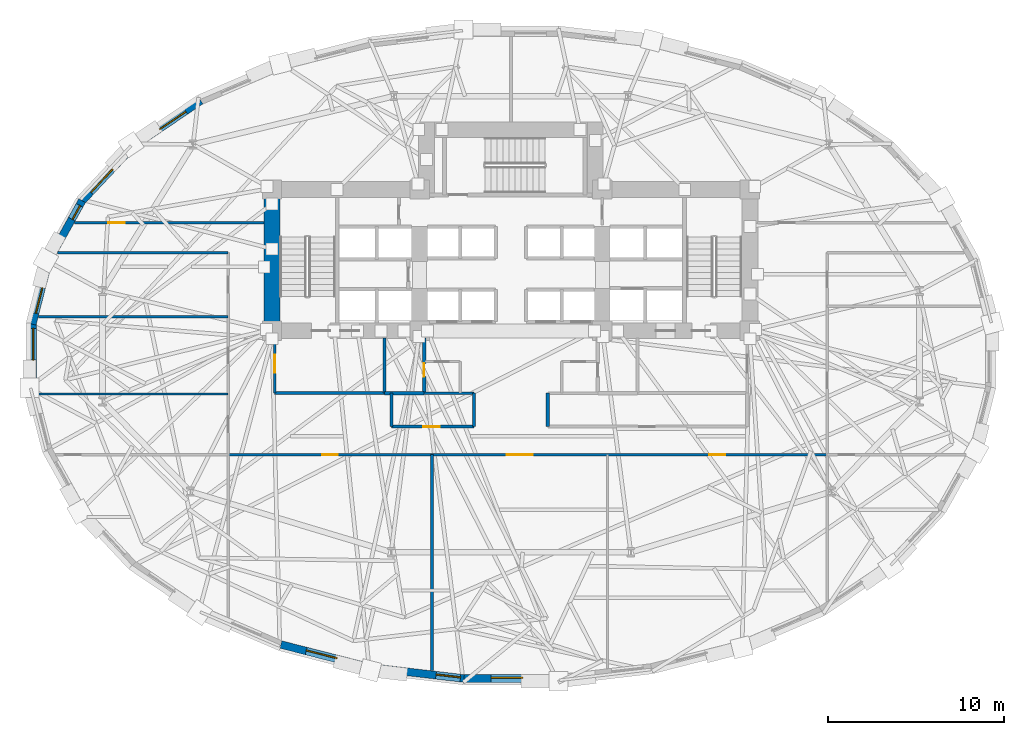
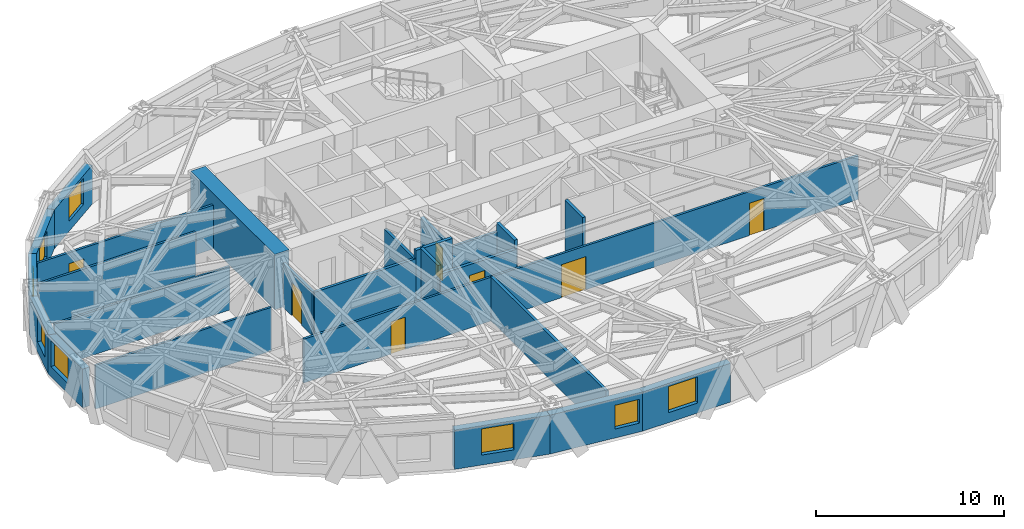
# One storey, part 6 of 13: 25 walls, 8 windows, 7 doors, 15 openings.
"""IFC4 building model written with IfcOpenShell, lengths in metres."""

from ifc_helpers import new_model, si_unit, direction, frame, frame_2d, origin, place, context, subcontext, project, spatial, rectangle, extrude, material, layer, layer_set, type_object, element, fill, save


model = new_model("IFC4")

# Units and contexts
model_context = context("Model", 3, precision=1e-05, world=origin(), true_north=direction((0.0, 1.0)))
body_context = subcontext(model_context, "Body", "Model", "MODEL_VIEW")
ifc_project = project(units=[si_unit("LENGTHUNIT", "METRE"), si_unit("AREAUNIT", "SQUARE_METRE"), si_unit("VOLUMEUNIT", "CUBIC_METRE"), si_unit("PLANEANGLEUNIT", "RADIAN"), si_unit("MASSUNIT", "GRAM", prefix="KILO")], contexts=[model_context])

# Site, building, storey
site_placement = place(None, origin())
site = spatial("IfcSite", under=ifc_project, at=site_placement, CompositionType="ELEMENT")
building_placement = place(site_placement, origin())
building = spatial("IfcBuilding", under=site, at=building_placement, Name="Keldmark Tower", CompositionType="ELEMENT")
storey_placement = place(building_placement, frame((0.0, 0.0, 45.0)))
storey = spatial("IfcBuildingStorey", under=building, at=storey_placement, Name="L11", CompositionType="ELEMENT", Elevation=45.0)

# Wall, openings, doors
ifc_material_1 = material(Name="Acoustic Double-Layer Gypsum Corridor Partition", Category="gypsum")
ifc_layer_1 = layer(ifc_material_1, 0.139892578125)
ifc_layer_set_1 = layer_set([ifc_layer_1], Name="Acoustic Double-Layer Gypsum Corridor Partition")
wall_type_1 = type_object("IfcWallType", Name="Acoustic Corridor Partition 140 mm", PredefinedType="PARTITIONING", material=ifc_layer_set_1)
wall_1_placement = place(storey_placement, frame((-16.10009765625, -5.64990234375, 0.0), z_axis=(0.0, 0.0, 1.0), x_axis=(1.0, 0.0, 0.0)))
wall_1 = element("IfcWall", 1, at=wall_1_placement, inside=storey, type_object=wall_type_1, Name="L11 Acoustic Corridor Partition 140 mm COR-S", PredefinedType="PARTITIONING", context=body_context, shape_type="SweptSolid", body=[
    extrude(rectangle(XDim=34.10009765625, YDim=0.139892578125, at=frame_2d((17.050048828125, 0.0))), origin(), (0.0, 0.0, 1.0), 2.85302734375),
])
opening_1_placement = place(wall_1_placement, frame((5.35009765625, 0.0, 0.0)))
opening_1 = element("IfcOpeningElement", 2, at=opening_1_placement, cuts=wall_1, Name="Opening D-IN090", PredefinedType="OPENING", context=body_context, shape_type="SweptSolid", body=[
    extrude(rectangle(XDim=0.89990234375, YDim=2.10009765625, at=frame_2d((0.449951171875, 1.050048828125))), frame((0.0, 0.079833984375, 0.0), z_axis=(0.0, -1.0, 0.0), x_axis=(1.0, 0.0, 0.0)), (0.0, 0.0, 1.0), 0.159912109375),
])
opening_2_placement = place(wall_1_placement, frame((15.85009765625, 0.0, 0.0)))
opening_2 = element("IfcOpeningElement", 3, at=opening_2_placement, cuts=wall_1, Name="Opening D-CF150", PredefinedType="OPENING", context=body_context, shape_type="SweptSolid", body=[
    extrude(rectangle(XDim=1.5, YDim=2.14990234375, at=frame_2d((0.75, 1.074951171875))), frame((0.0, 0.079833984375, 0.0), z_axis=(0.0, -1.0, 0.0), x_axis=(1.0, 0.0, 0.0)), (0.0, 0.0, 1.0), 0.159912109375),
])
opening_3_placement = place(wall_1_placement, frame((27.39990234375, 0.0, 0.0)))
opening_3 = element("IfcOpeningElement", 4, at=opening_3_placement, cuts=wall_1, Name="Opening D-IN090", PredefinedType="OPENING", context=body_context, shape_type="SweptSolid", body=[
    extrude(rectangle(XDim=0.89990234375, YDim=2.10009765625, at=frame_2d((0.449951171875, 1.050048828125))), frame((0.0, 0.079833984375, 0.0), z_axis=(0.0, -1.0, 0.0), x_axis=(1.0, 0.0, 0.0)), (0.0, 0.0, 1.0), 0.159912109375),
])
ifc_material_2 = material(Name="Acoustic Timber and Tempered Glass Double Door", Category="wood")
door_type_1 = type_object("IfcDoorType", Name="Conference Double Door 1500x2150", OperationType="DOUBLE_DOOR_SINGLE_SWING", PredefinedType="DOOR", material=ifc_material_2)
door_1_placement = place(opening_2_placement, origin())
door_1 = element("IfcDoor", 5, at=door_1_placement, inside=storey, type_object=door_type_1, Name="L11 Conference Double Door 1500x2150 D-SR-2-L11", OperationType="DOUBLE_DOOR_SINGLE_SWING", OverallHeight=2.14990234375, OverallWidth=1.5, PredefinedType="DOOR", context=body_context, shape_type="SweptSolid", body=[
    extrude(rectangle(XDim=1.5, YDim=2.14990234375, at=frame_2d((0.75, 1.074951171875))), frame((0.0, 0.02490234375, 0.0), z_axis=(0.0, -1.0, 0.0), x_axis=(1.0, 0.0, 0.0)), (0.0, 0.0, 1.0), 0.050048828125),
])
fill(opening_2, door_1)
ifc_material_3 = material(Name="Stained American White Oak Veneer", Category="wood")
door_type_2 = type_object("IfcDoorType", Name="Interior Door 900x2100", OperationType="NOTDEFINED", PredefinedType="DOOR", material=ifc_material_3)
door_2_placement = place(opening_1_placement, origin())
door_2 = element("IfcDoor", 6, at=door_2_placement, inside=storey, type_object=door_type_2, Name="L11 Interior Door 900x2100 D-SR-1-L11", OperationType="SINGLE_SWING_LEFT", OverallHeight=2.10009765625, OverallWidth=0.89990234375, PredefinedType="DOOR", context=body_context, shape_type="SweptSolid", body=[
    extrude(rectangle(XDim=0.89990234375, YDim=2.10009765625, at=frame_2d((0.449951171875, 1.050048828125))), frame((0.0, 0.02490234375, 0.0), z_axis=(0.0, -1.0, 0.0), x_axis=(1.0, 0.0, 0.0)), (0.0, 0.0, 1.0), 0.050048828125),
])
fill(opening_1, door_2)
door_3_placement = place(opening_3_placement, origin())
door_3 = element("IfcDoor", 7, at=door_3_placement, inside=storey, type_object=door_type_2, Name="L11 Interior Door 900x2100 D-SR-3-L11", OperationType="SINGLE_SWING_LEFT", OverallHeight=2.10009765625, OverallWidth=0.89990234375, PredefinedType="DOOR", context=body_context, shape_type="SweptSolid", body=[
    extrude(rectangle(XDim=0.89990234375, YDim=2.10009765625, at=frame_2d((0.449951171875, 1.050048828125))), frame((0.0, 0.02490234375, 0.0), z_axis=(0.0, -1.0, 0.0), x_axis=(1.0, 0.0, 0.0)), (0.0, 0.0, 1.0), 0.050048828125),
])
fill(opening_3, door_3)

# Wall, opening, door
wall_2_placement = place(storey_placement, frame((-24.85595703125, 7.550048828125, 0.0), z_axis=(0.0, 0.0, 1.0), x_axis=(1.0, 0.0, 0.0)))
wall_2 = element("IfcWall", 8, at=wall_2_placement, inside=storey, type_object=wall_type_1, Name="L11 Acoustic Corridor Partition 140 mm COR-WN-CAP", PredefinedType="PARTITIONING", context=body_context, shape_type="SweptSolid", body=[
    extrude(rectangle(XDim=10.805908203125, YDim=0.139892578125, at=frame_2d((5.40283203125, 0.0))), origin(), (0.0, 0.0, 1.0), 2.85302734375),
])
opening_4_placement = place(wall_2_placement, frame((1.939208984375, 0.0, 0.0)))
opening_4 = element("IfcOpeningElement", 9, at=opening_4_placement, cuts=wall_2, Name="Opening D-EX092", PredefinedType="OPENING", context=body_context, shape_type="SweptSolid", body=[
    extrude(rectangle(XDim=0.919921875, YDim=2.14990234375, at=frame_2d((0.4599609375, 1.074951171875))), frame((0.0, 0.079833984375, 0.0), z_axis=(0.0, -1.0, 0.0), x_axis=(1.0, 0.0, 0.0)), (0.0, 0.0, 1.0), 0.159912109375),
])
ifc_material_4 = material(Name="Flush American Ash Executive Office Door", Category="wood")
door_type_3 = type_object("IfcDoorType", Name="Executive Office Door 920x2150", OperationType="NOTDEFINED", PredefinedType="DOOR", material=ifc_material_4)
door_4_placement = place(opening_4_placement, origin())
door_4 = element("IfcDoor", 10, at=door_4_placement, inside=storey, type_object=door_type_3, Name="L11 Executive Office Door 920x2150 D-NRNW-L11", OperationType="SINGLE_SWING_RIGHT", OverallHeight=2.14990234375, OverallWidth=0.919921875, PredefinedType="DOOR", context=body_context, shape_type="SweptSolid", body=[
    extrude(rectangle(XDim=0.919921875, YDim=2.14990234375, at=frame_2d((0.4599609375, 1.074951171875))), frame((0.0, 0.02490234375, 0.0), z_axis=(0.0, -1.0, 0.0), x_axis=(1.0, 0.0, 0.0)), (0.0, 0.0, 1.0), 0.050048828125),
])
fill(opening_4, door_4)

# Walls
wall_3_placement = place(storey_placement, frame((-25.8046875, 5.85009765625, 0.0), z_axis=(0.0, 0.0, 1.0), x_axis=(1.0, 0.0, 0.0)))
element("IfcWall", 11, at=wall_3_placement, inside=storey, type_object=wall_type_1, Name="L11 Acoustic Corridor Partition 140 mm COR-WA-S", PredefinedType="PARTITIONING", context=body_context, shape_type="SweptSolid", body=[
    extrude(rectangle(XDim=9.70458984375, YDim=0.139892578125, at=frame_2d((4.852294921875, 0.0))), origin(), (0.0, 0.0, 1.0), 2.85302734375),
])
ifc_material_5 = material(Name="STC-58 Insulated Tenant Demising Gypsum Partition", Category="gypsum")
ifc_layer_2 = layer(ifc_material_5, 0.175048828125)
ifc_layer_set_2 = layer_set([ifc_layer_2], Name="STC-58 Insulated Tenant Demising Gypsum Partition")
wall_type_2 = type_object("IfcWallType", Name="Demising Suite Partition 175 mm", PredefinedType="PARTITIONING", material=ifc_layer_set_2)
wall_4_placement = place(storey_placement, frame((-4.5, -17.94921875, 0.0), z_axis=(0.0, 0.0, 1.0), x_axis=(0.0, 1.0, 0.0)))
element("IfcWall", 12, at=wall_4_placement, inside=storey, type_object=wall_type_2, Name="L11 Demising Suite Partition 175 mm S-DIV-1", PredefinedType="PARTITIONING", context=body_context, shape_type="SweptSolid", body=[
    extrude(rectangle(XDim=12.29931640625, YDim=0.175048828125, at=frame_2d((6.149658203125, 0.0))), origin(), (0.0, 0.0, 1.0), 2.85302734375),
])

# Wall, opening, door
ifc_material_6 = material(Name="Heavy Acoustic Plumbing Chase Gypsum Assembly", Category="gypsum")
ifc_layer_3 = layer(ifc_material_6, 0.18994140625)
ifc_layer_set_3 = layer_set([ifc_layer_3], Name="Heavy Acoustic Plumbing Chase Gypsum Assembly")
wall_type_3 = type_object("IfcWallType", Name="Heavy Wet Wall 190 mm", PredefinedType="PLUMBINGWALL", material=ifc_layer_set_3)
wall_5_placement = place(storey_placement, frame((-6.800048828125, -4.050048828125, 0.0), z_axis=(0.0, 0.0, 1.0), x_axis=(1.0, 0.0, 0.0)))
wall_5 = element("IfcWall", 13, at=wall_5_placement, inside=storey, type_object=wall_type_3, Name="L11 Heavy Wet Wall 190 mm SPK-W-S", PredefinedType="PLUMBINGWALL", context=body_context, shape_type="SweptSolid", body=[
    extrude(rectangle(XDim=4.699951171875, YDim=0.18994140625, at=frame_2d((2.35009765625, 0.0))), origin(), (0.0, 0.0, 1.0), 2.85302734375),
])
opening_5_placement = place(wall_5_placement, frame((1.800048828125, 0.0, 0.0)))
opening_5 = element("IfcOpeningElement", 14, at=opening_5_placement, cuts=wall_5, Name="Opening D-AWC95", PredefinedType="OPENING", context=body_context, shape_type="SweptSolid", body=[
    extrude(rectangle(XDim=0.949951171875, YDim=2.14990234375, at=frame_2d((0.47509765625, 1.074951171875))), frame((0.0, 0.10498046875, 0.0), z_axis=(0.0, -1.0, 0.0), x_axis=(1.0, 0.0, 0.0)), (0.0, 0.0, 1.0), 0.2099609375),
])
ifc_material_7 = material(Name="Painted Solid-Core Architectural Wood", Category="wood")
door_type_4 = type_object("IfcDoorType", Name="Accessible WC Door 950x2150", OperationType="NOTDEFINED", PredefinedType="DOOR", material=ifc_material_7)
door_5_placement = place(opening_5_placement, origin())
door_5 = element("IfcDoor", 15, at=door_5_placement, inside=storey, type_object=door_type_4, Name="L11 Accessible WC Door 950x2150 D-SPKW1-L11", OperationType="SINGLE_SWING_LEFT", OverallHeight=2.14990234375, OverallWidth=0.949951171875, PredefinedType="DOOR", context=body_context, shape_type="SweptSolid", body=[
    extrude(rectangle(XDim=0.949951171875, YDim=2.14990234375, at=frame_2d((0.47509765625, 1.074951171875))), frame((0.0, 0.02490234375, 0.0), z_axis=(0.0, -1.0, 0.0), x_axis=(1.0, 0.0, 0.0)), (0.0, 0.0, 1.0), 0.050048828125),
])
fill(opening_5, door_5)

# Walls
for number, where, z_axis, x_axis, name in (
    (16, (-6.800048828125, -4.050048828125, 0.0), (0.0, 0.0, 1.0), (0.0, 1.0, 0.0), "L11 Heavy Wet Wall 190 mm SPK-W-W"),
    (17, (-2.10009765625, -4.050048828125, 0.0), (0.0, 0.0, 1.0), (0.0, 1.0, 0.0), "L11 Heavy Wet Wall 190 mm SPK-W-E"),
    (18, (2.10009765625, -4.050048828125, 0.0), (0.0, 0.0, 1.0), (0.0, 1.0, 0.0), "L11 Heavy Wet Wall 190 mm SPK-E-W"),
):
    element("IfcWall", number, at=place(storey_placement, frame(where, z_axis=z_axis, x_axis=x_axis)), inside=storey, type_object=wall_type_3, Name=name, PredefinedType="PLUMBINGWALL", context=body_context, shape_type="SweptSolid", body=[
        extrude(rectangle(XDim=1.900146484375, YDim=0.18994140625, at=frame_2d((0.9501953125, 0.0))), origin(), (0.0, 0.0, 1.0), 3.39990234375),
    ])
ifc_material_8 = material(Name="Acoustic Gypsum Board Interior Partition", Category="gypsum")
ifc_layer_4 = layer(ifc_material_8, 0.1298828125)
ifc_layer_set_4 = layer_set([ifc_layer_4], Name="Acoustic Gypsum Board Interior Partition")
wall_type_4 = type_object("IfcWallType", Name="Interior Partition 130 mm", PredefinedType="PARTITIONING", material=ifc_layer_set_4)
for number, where, z_axis, x_axis, name in (
    (19, (-26.909423828125, -2.199951171875, 0.0), (0.0, 0.0, 1.0), (1.0, 0.0, 0.0), "L11 Interior Partition 130 mm W-DIV-1"),
    (20, (-26.909423828125, 2.199951171875, 0.0), (0.0, 0.0, 1.0), (1.0, 0.0, 0.0), "L11 Interior Partition 130 mm W-DIV-2"),
):
    element("IfcWall", number, at=place(storey_placement, frame(where, z_axis=z_axis, x_axis=x_axis)), inside=storey, type_object=wall_type_4, Name=name, PredefinedType="PARTITIONING", context=body_context, shape_type="SweptSolid", body=[
        extrude(rectangle(XDim=10.809326171875, YDim=0.1298828125, at=frame_2d((5.40478515625, 0.0))), origin(), (0.0, 0.0, 1.0), 2.841064453125),
    ])
ifc_material_9 = material(Name="Concrete C70/85", Category="concrete")
ifc_layer_5 = layer(ifc_material_9, 0.89990234375)
ifc_layer_set_5 = layer_set([ifc_layer_5], Name="Concrete C70/85")
wall_type_5 = type_object("IfcWallType", Name="Lower Core Shear Wall 900 mm", PredefinedType="SHEAR", material=ifc_layer_set_5)
wall_6_placement = place(storey_placement, frame((-13.60009765625, 0.949951171875, 0.0), z_axis=(0.0, 0.0, 1.0), x_axis=(0.0, 1.0, 0.0)))
element("IfcWall", 21, at=wall_6_placement, inside=storey, type_object=wall_type_5, Name="L11 West Core Outer Shear Wall", PredefinedType="SHEAR", context=body_context, shape_type="SweptSolid", body=[
    extrude(rectangle(XDim=8.949951171875, YDim=0.89990234375, at=frame_2d((4.47509765625, 0.0))), origin(), (0.0, 0.0, 1.0), 3.60009765625),
])
ifc_material_10 = material(Name="Type X Fire-Rated Gypsum Partition Assembly", Category="gypsum")
ifc_layer_6 = layer(ifc_material_10, 0.1650390625)
ifc_layer_set_6 = layer_set([ifc_layer_6], Name="Type X Fire-Rated Gypsum Partition Assembly")
wall_type_6 = type_object("IfcWallType", Name="Rated Partition 165 mm", PredefinedType="PARTITIONING", material=ifc_layer_set_6)
wall_7_placement = place(storey_placement, frame((-13.449951171875, -2.14990234375, 0.0), z_axis=(0.0, 0.0, 1.0), x_axis=(1.0, 0.0, 0.0)))
element("IfcWall", 22, at=wall_7_placement, inside=storey, type_object=wall_type_6, Name="L11 Rated Partition 165 mm FSAE-W-S", PredefinedType="PARTITIONING", context=body_context, shape_type="SweptSolid", body=[
    extrude(rectangle(XDim=6.25, YDim=0.1650390625, at=frame_2d((3.125, 0.0))), origin(), (0.0, 0.0, 1.0), 2.85302734375),
])

# Wall, opening, door
wall_8_placement = place(storey_placement, frame((-13.449951171875, -2.14990234375, 0.0), z_axis=(0.0, 0.0, 1.0), x_axis=(0.0, 1.0, 0.0)))
wall_8 = element("IfcWall", 23, at=wall_8_placement, inside=storey, type_object=wall_type_6, Name="L11 Rated Partition 165 mm FSAE-W-W", PredefinedType="PARTITIONING", context=body_context, shape_type="SweptSolid", body=[
    extrude(rectangle(XDim=3.14990234375, YDim=0.1650390625, at=frame_2d((1.574951171875, 0.0))), origin(), (0.0, 0.0, 1.0), 2.85302734375),
])
opening_6_placement = place(wall_8_placement, frame((1.14990234375, 0.0, 0.0)))
opening_6 = element("IfcOpeningElement", 24, at=opening_6_placement, cuts=wall_8, Name="Opening D-FL105", PredefinedType="OPENING", context=body_context, shape_type="SweptSolid", body=[
    extrude(rectangle(XDim=1.050048828125, YDim=2.14990234375, at=frame_2d((0.52490234375, 1.074951171875))), frame((0.0, 0.092529296875, 0.0), z_axis=(0.0, -1.0, 0.0), x_axis=(1.0, 0.0, 0.0)), (0.0, 0.0, 1.0), 0.18505859375),
])
ifc_material_11 = material(Name="Fire-Rated Mineral-Core Door and Vision Lite", Category="metal")
door_type_5 = type_object("IfcDoorType", Name="Fire Lobby Door 1050x2150", OperationType="NOTDEFINED", PredefinedType="DOOR", material=ifc_material_11)
door_6_placement = place(opening_6_placement, origin())
door_6 = element("IfcDoor", 25, at=door_6_placement, inside=storey, type_object=door_type_5, Name="L11 Fire Lobby Door 1050x2150 D-FSAEW-OUT-L11", OperationType="SINGLE_SWING_LEFT", OverallHeight=2.14990234375, OverallWidth=1.050048828125, PredefinedType="DOOR", context=body_context, shape_type="SweptSolid", body=[
    extrude(rectangle(XDim=1.050048828125, YDim=2.14990234375, at=frame_2d((0.52490234375, 1.074951171875))), frame((0.0, 0.02490234375, 0.0), z_axis=(0.0, -1.0, 0.0), x_axis=(1.0, 0.0, 0.0)), (0.0, 0.0, 1.0), 0.050048828125),
])
fill(opening_6, door_6)

# Walls
wall_9_placement = place(storey_placement, frame((-7.199951171875, -2.14990234375, 0.0), z_axis=(0.0, 0.0, 1.0), x_axis=(0.0, 1.0, 0.0)))
element("IfcWall", 26, at=wall_9_placement, inside=storey, type_object=wall_type_6, Name="L11 Rated Partition 165 mm FSAE-W-E", PredefinedType="PARTITIONING", context=body_context, shape_type="SweptSolid", body=[
    extrude(rectangle(XDim=3.14990234375, YDim=0.1650390625, at=frame_2d((1.574951171875, 0.0))), origin(), (0.0, 0.0, 1.0), 2.85302734375),
])
ifc_material_12 = material(Name="Fire-Resistant Type X Gypsum Shaftliner Coreboard", Category="gypsum")
ifc_layer_7 = layer(ifc_material_12, 0.199951171875)
ifc_layer_set_7 = layer_set([ifc_layer_7], Name="Fire-Resistant Type X Gypsum Shaftliner Coreboard")
wall_type_7 = type_object("IfcWallType", Name="Shaft Wall 200 mm", PredefinedType="SOLIDWALL", material=ifc_layer_set_7)
wall_10_placement = place(storey_placement, frame((-7.199951171875, -2.14990234375, 0.0), z_axis=(0.0, 0.0, 1.0), x_axis=(1.0, 0.0, 0.0)))
element("IfcWall", 27, at=wall_10_placement, inside=storey, type_object=wall_type_7, Name="L11 Shaft Wall 200 mm RIS-SW-S", PredefinedType="SOLIDWALL", context=body_context, shape_type="SweptSolid", body=[
    extrude(rectangle(XDim=2.25, YDim=0.199951171875, at=frame_2d((1.125, 0.0))), origin(), (0.0, 0.0, 1.0), 3.39990234375),
])

# Wall, opening, door
wall_11_placement = place(storey_placement, frame((-4.949951171875, -2.14990234375, 0.0), z_axis=(0.0, 0.0, 1.0), x_axis=(0.0, 1.0, 0.0)))
wall_11 = element("IfcWall", 28, at=wall_11_placement, inside=storey, type_object=wall_type_7, Name="L11 Shaft Wall 200 mm RIS-SW-E", PredefinedType="SOLIDWALL", context=body_context, shape_type="SweptSolid", body=[
    extrude(rectangle(XDim=3.14990234375, YDim=0.199951171875, at=frame_2d((1.574951171875, 0.0))), origin(), (0.0, 0.0, 1.0), 2.85302734375),
])
opening_7_placement = place(wall_11_placement, frame((0.949951171875, 0.0, 0.0)))
opening_7 = element("IfcOpeningElement", 29, at=opening_7_placement, cuts=wall_11, Name="Opening D-RS075", PredefinedType="OPENING", context=body_context, shape_type="SweptSolid", body=[
    extrude(rectangle(XDim=0.75, YDim=2.10009765625, at=frame_2d((0.375, 1.050048828125))), frame((0.0, 0.10986328125, 0.0), z_axis=(0.0, -1.0, 0.0), x_axis=(1.0, 0.0, 0.0)), (0.0, 0.0, 1.0), 0.219970703125),
])
ifc_material_13 = material(Name="Galvanized Fire-Rated Access Leaf", Category="metal")
door_type_6 = type_object("IfcDoorType", Name="Riser Access Door 750x2100", OperationType="NOTDEFINED", PredefinedType="DOOR", material=ifc_material_13)
door_7_placement = place(opening_7_placement, origin())
door_7 = element("IfcDoor", 30, at=door_7_placement, inside=storey, type_object=door_type_6, Name="L11 Riser Access Door 750x2100 D-RISSW-L11", OperationType="SINGLE_SWING_RIGHT", OverallHeight=2.10009765625, OverallWidth=0.75, PredefinedType="DOOR", context=body_context, shape_type="SweptSolid", body=[
    extrude(rectangle(XDim=0.75, YDim=2.10009765625, at=frame_2d((0.375, 1.050048828125))), frame((0.0, 0.02490234375, 0.0), z_axis=(0.0, -1.0, 0.0), x_axis=(1.0, 0.0, 0.0)), (0.0, 0.0, 1.0), 0.050048828125),
])
fill(opening_7, door_7)

# Wall, opening, window
ifc_material_14 = material(Name="Ironspot Manganese Brick and Kasota Buff Limestone Spandrel Assembly", Category="masonry")
ifc_layer_8 = layer(ifc_material_14, 0.43994140625)
ifc_layer_set_8 = layer_set([ifc_layer_8], Name="Ironspot Manganese Brick and Kasota Buff Limestone Spandrel Assembly")
wall_type_8 = type_object("IfcWallType", Name="Tower Brick Pier and Spandrel Wall 440 mm", PredefinedType="STANDARD", material=ifc_layer_set_8)
wall_12_placement = place(storey_placement, frame((-21.54931640625, 11.8701171875, 0.0), z_axis=(0.0, 0.0, 1.0), x_axis=(0.827825981515, 0.560984976919, 0.0)))
wall_12 = element("IfcWall", 31, at=wall_12_placement, inside=storey, type_object=wall_type_8, Name="L11 Exterior Brick and Spandrel Wall 12", PredefinedType="STANDARD", context=body_context, shape_type="SweptSolid", body=[
    extrude(rectangle(XDim=4.694580078125, YDim=0.43994140625, at=frame_2d((2.34716796875, 0.0))), origin(), (0.0, 0.0, 1.0), 2.529052734375),
])
opening_8_placement = place(wall_12_placement, frame((1.846435546875, 0.0, 0.64990234375)))
opening_8 = element("IfcOpeningElement", 32, at=opening_8_placement, cuts=wall_12, Name="Opening W-02", PredefinedType="OPENING", context=body_context, shape_type="SweptSolid", body=[
    extrude(rectangle(XDim=1.800048828125, YDim=1.699951171875, at=frame_2d((0.89990234375, 0.85009765625))), frame((0.0, 0.22998046875, 0.0), z_axis=(0.0, -1.0, 0.0), x_axis=(1.0, 0.0, 0.0)), (0.0, 0.0, 1.0), 0.4599609375),
])
ifc_material_15 = material(Name="Thermally Broken Anodized Aluminum and Triple Low-E Argon Glazing", Category="aluminium")
window_type_1 = type_object("IfcWindowType", Name="Office Deep-Set Triple Window 1800x1700", PartitioningType="TRIPLE_PANEL_VERTICAL", PredefinedType="WINDOW", material=ifc_material_15)
window_1_placement = place(opening_8_placement, origin())
window_1 = element("IfcWindow", 33, at=window_1_placement, inside=storey, type_object=window_type_1, Name="L11 Deep-Set Window 12", OverallHeight=1.699951171875, OverallWidth=1.800048828125, PartitioningType="SINGLE_PANEL", PredefinedType="WINDOW", context=body_context, shape_type="SweptSolid", body=[
    extrude(rectangle(XDim=1.800048828125, YDim=1.699951171875, at=frame_2d((0.89990234375, 0.85009765625))), frame((0.0, -0.010009765625, 0.0), z_axis=(0.0, -1.0, 0.0), x_axis=(1.0, 0.0, 0.0)), (0.0, 0.0, 1.0), 0.06005859375),
])
fill(opening_8, window_1)

wall_13_placement = place(storey_placement, frame((-24.44775390625, 8.7626953125, 0.0), z_axis=(0.0, 0.0, 1.0), x_axis=(0.68299392258, 0.730424056093, 0.0)))
wall_13 = element("IfcWall", 34, at=wall_13_placement, inside=storey, type_object=wall_type_8, Name="L11 Exterior Brick and Spandrel Wall 13", PredefinedType="STANDARD", context=body_context, shape_type="SweptSolid", body=[
    extrude(rectangle(XDim=4.298095703125, YDim=0.43994140625, at=frame_2d((2.14892578125, 0.0))), origin(), (0.0, 0.0, 1.0), 2.529052734375),
])
opening_9_placement = place(wall_13_placement, frame((0.74951171875, 0.0, 0.64990234375)))
opening_9 = element("IfcOpeningElement", 35, at=opening_9_placement, cuts=wall_13, Name="Opening W-02", PredefinedType="OPENING", context=body_context, shape_type="SweptSolid", body=[
    extrude(rectangle(XDim=1.800048828125, YDim=1.699951171875, at=frame_2d((0.89990234375, 0.85009765625))), frame((0.0, 0.22998046875, 0.0), z_axis=(0.0, -1.0, 0.0), x_axis=(1.0, 0.0, 0.0)), (0.0, 0.0, 1.0), 0.4599609375),
])
window_2_placement = place(opening_9_placement, origin())
window_2 = element("IfcWindow", 36, at=window_2_placement, inside=storey, type_object=window_type_1, Name="L11 Deep-Set Window 13", OverallHeight=1.699951171875, OverallWidth=1.800048828125, PartitioningType="SINGLE_PANEL", PredefinedType="WINDOW", context=body_context, shape_type="SweptSolid", body=[
    extrude(rectangle(XDim=1.800048828125, YDim=1.699951171875, at=frame_2d((0.89990234375, 0.85009765625))), frame((0.0, -0.010009765625, 0.0), z_axis=(0.0, -1.0, 0.0), x_axis=(1.0, 0.0, 0.0)), (0.0, 0.0, 1.0), 0.06005859375),
])
fill(opening_9, window_2)

wall_14_placement = place(storey_placement, frame((-26.34619140625, 5.347900390625, 0.0), z_axis=(0.0, 0.0, 1.0), x_axis=(0.487369438963, 0.873195871477, 0.0)))
wall_14 = element("IfcWall", 37, at=wall_14_placement, inside=storey, type_object=wall_type_8, Name="L11 Exterior Brick and Spandrel Wall 14", PredefinedType="STANDARD", context=body_context, shape_type="SweptSolid", body=[
    extrude(rectangle(XDim=3.9599609375, YDim=0.43994140625, at=frame_2d((1.97998046875, 0.0))), origin(), (0.0, 0.0, 1.0), 2.529052734375),
])
opening_10_placement = place(wall_14_placement, frame((2.761474609375, 0.0, 0.580078125)))
opening_10 = element("IfcOpeningElement", 38, at=opening_10_placement, cuts=wall_14, Name="Opening W-09", PredefinedType="OPENING", context=body_context, shape_type="SweptSolid", body=[
    extrude(rectangle(XDim=0.89990234375, YDim=1.35009765625, at=frame_2d((0.449951171875, 0.675048828125))), frame((0.0, 0.22998046875, 0.0), z_axis=(0.0, -1.0, 0.0), x_axis=(1.0, 0.0, 0.0)), (0.0, 0.0, 1.0), 0.4599609375),
])
ifc_material_16 = material(Name="Thermally Broken Anodized Aluminum and Triple Low-E Argon Glazing", Category="aluminium")
window_type_2 = type_object("IfcWindowType", Name="Corner Pier Deep-Set Window 900x1350", PartitioningType="SINGLE_PANEL", PredefinedType="WINDOW", material=ifc_material_16)
window_3_placement = place(opening_10_placement, origin())
window_3 = element("IfcWindow", 39, at=window_3_placement, inside=storey, type_object=window_type_2, Name="L11 Deep-Set Window 14", OverallHeight=1.35009765625, OverallWidth=0.89990234375, PartitioningType="SINGLE_PANEL", PredefinedType="WINDOW", context=body_context, shape_type="SweptSolid", body=[
    extrude(rectangle(XDim=0.89990234375, YDim=1.35009765625, at=frame_2d((0.449951171875, 0.675048828125))), frame((0.0, -0.010009765625, 0.0), z_axis=(0.0, -1.0, 0.0), x_axis=(1.0, 0.0, 0.0)), (0.0, 0.0, 1.0), 0.06005859375),
])
fill(opening_10, window_3)

wall_15_placement = place(storey_placement, frame((-27.252685546875, 1.7783203125, 0.0), z_axis=(0.0, 0.0, 1.0), x_axis=(0.248062710061, 0.968743976434, 0.0)))
wall_15 = element("IfcWall", 40, at=wall_15_placement, inside=storey, type_object=wall_type_8, Name="L11 Exterior Brick and Spandrel Wall 15", PredefinedType="STANDARD", context=body_context, shape_type="SweptSolid", body=[
    extrude(rectangle(XDim=3.739013671875, YDim=0.43994140625, at=frame_2d((1.86962890625, 0.0))), origin(), (0.0, 0.0, 1.0), 2.529052734375),
])
opening_11_placement = place(wall_15_placement, frame((0.647216796875, 0.0, 0.64990234375)))
opening_11 = element("IfcOpeningElement", 41, at=opening_11_placement, cuts=wall_15, Name="Opening W-03", PredefinedType="OPENING", context=body_context, shape_type="SweptSolid", body=[
    extrude(rectangle(XDim=1.5, YDim=1.699951171875, at=frame_2d((0.75, 0.85009765625))), frame((0.0, 0.22998046875, 0.0), z_axis=(0.0, -1.0, 0.0), x_axis=(1.0, 0.0, 0.0)), (0.0, 0.0, 1.0), 0.4599609375),
])
ifc_material_17 = material(Name="Thermally Broken Anodized Aluminum and Triple Low-E Argon Glazing", Category="aluminium")
window_type_3 = type_object("IfcWindowType", Name="Office Corner Deep-Set Window 1500x1700", PartitioningType="DOUBLE_PANEL_VERTICAL", PredefinedType="WINDOW", material=ifc_material_17)
window_4_placement = place(opening_11_placement, origin())
window_4 = element("IfcWindow", 42, at=window_4_placement, inside=storey, type_object=window_type_3, Name="L11 Deep-Set Window 15", OverallHeight=1.699951171875, OverallWidth=1.5, PartitioningType="SINGLE_PANEL", PredefinedType="WINDOW", context=body_context, shape_type="SweptSolid", body=[
    extrude(rectangle(XDim=1.5, YDim=1.699951171875, at=frame_2d((0.75, 0.85009765625))), frame((0.0, -0.010009765625, 0.0), z_axis=(0.0, -1.0, 0.0), x_axis=(1.0, 0.0, 0.0)), (0.0, 0.0, 1.0), 0.06005859375),
])
fill(opening_11, window_4)

wall_16_placement = place(storey_placement, frame((-27.245849609375, -1.8330078125, 0.0), z_axis=(0.0, 0.0, 1.0), x_axis=(0.0, 1.0, 0.0)))
wall_16 = element("IfcWall", 43, at=wall_16_placement, inside=storey, type_object=wall_type_8, Name="L11 Exterior Brick and Spandrel Wall 16", PredefinedType="STANDARD", context=body_context, shape_type="SweptSolid", body=[
    extrude(rectangle(XDim=3.666015625, YDim=0.43994140625, at=frame_2d((1.8330078125, 0.0))), origin(), (0.0, 0.0, 1.0), 2.529052734375),
])
opening_12_placement = place(wall_16_placement, frame((1.568359375, 0.0, 0.64990234375)))
opening_12 = element("IfcOpeningElement", 44, at=opening_12_placement, cuts=wall_16, Name="Opening W-02", PredefinedType="OPENING", context=body_context, shape_type="SweptSolid", body=[
    extrude(rectangle(XDim=1.800048828125, YDim=1.699951171875, at=frame_2d((0.89990234375, 0.85009765625))), frame((0.0, 0.22998046875, 0.0), z_axis=(0.0, -1.0, 0.0), x_axis=(1.0, 0.0, 0.0)), (0.0, 0.0, 1.0), 0.4599609375),
])
window_5_placement = place(opening_12_placement, origin())
window_5 = element("IfcWindow", 45, at=window_5_placement, inside=storey, type_object=window_type_1, Name="L11 Deep-Set Window 16", OverallHeight=1.699951171875, OverallWidth=1.800048828125, PartitioningType="SINGLE_PANEL", PredefinedType="WINDOW", context=body_context, shape_type="SweptSolid", body=[
    extrude(rectangle(XDim=1.800048828125, YDim=1.699951171875, at=frame_2d((0.89990234375, 0.85009765625))), frame((0.0, -0.010009765625, 0.0), z_axis=(0.0, -1.0, 0.0), x_axis=(1.0, 0.0, 0.0)), (0.0, 0.0, 1.0), 0.06005859375),
])
fill(opening_12, window_5)

wall_17_placement = place(storey_placement, frame((-7.99560546875, -17.76953125, 0.0), z_axis=(0.0, 0.0, 1.0), x_axis=(-0.968705592422, 0.248212560542, 0.0)))
wall_17 = element("IfcWall", 46, at=wall_17_placement, inside=storey, type_object=wall_type_8, Name="L11 Exterior Brick and Spandrel Wall 22", PredefinedType="STANDARD", context=body_context, shape_type="SweptSolid", body=[
    extrude(rectangle(XDim=5.26806640625, YDim=0.43994140625, at=frame_2d((2.634033203125, 0.0))), origin(), (0.0, 0.0, 1.0), 2.529052734375),
])
opening_13_placement = place(wall_17_placement, frame((1.9814453125, 0.0, 0.64990234375)))
opening_13 = element("IfcOpeningElement", 47, at=opening_13_placement, cuts=wall_17, Name="Opening W-02", PredefinedType="OPENING", context=body_context, shape_type="SweptSolid", body=[
    extrude(rectangle(XDim=1.800048828125, YDim=1.699951171875, at=frame_2d((0.89990234375, 0.85009765625))), frame((0.0, 0.22998046875, 0.0), z_axis=(0.0, -1.0, 0.0), x_axis=(1.0, 0.0, 0.0)), (0.0, 0.0, 1.0), 0.4599609375),
])
window_6_placement = place(opening_13_placement, origin())
window_6 = element("IfcWindow", 48, at=window_6_placement, inside=storey, type_object=window_type_1, Name="L11 Deep-Set Window 22", OverallHeight=1.699951171875, OverallWidth=1.800048828125, PartitioningType="SINGLE_PANEL", PredefinedType="WINDOW", context=body_context, shape_type="SweptSolid", body=[
    extrude(rectangle(XDim=1.800048828125, YDim=1.699951171875, at=frame_2d((0.89990234375, 0.85009765625))), frame((0.0, -0.010009765625, 0.0), z_axis=(0.0, -1.0, 0.0), x_axis=(1.0, 0.0, 0.0)), (0.0, 0.0, 1.0), 0.06005859375),
])
fill(opening_13, window_6)

wall_18_placement = place(storey_placement, frame((-2.679443359375, -18.392578125, 0.0), z_axis=(0.0, 0.0, 1.0), x_axis=(-0.993159890371, 0.116762289112, 0.0)))
wall_18 = element("IfcWall", 49, at=wall_18_placement, inside=storey, type_object=wall_type_8, Name="L11 Exterior Brick and Spandrel Wall 23", PredefinedType="STANDARD", context=body_context, shape_type="SweptSolid", body=[
    extrude(rectangle(XDim=5.382080078125, YDim=0.43994140625, at=frame_2d((2.69091796875, 0.0))), origin(), (0.0, 0.0, 1.0), 2.529052734375),
])
opening_14_placement = place(wall_18_placement, frame((0.199951171875, 0.0, 0.580078125)))
opening_14 = element("IfcOpeningElement", 50, at=opening_14_placement, cuts=wall_18, Name="Opening W-08", PredefinedType="OPENING", context=body_context, shape_type="SweptSolid", body=[
    extrude(rectangle(XDim=1.39990234375, YDim=1.550048828125, at=frame_2d((0.699951171875, 0.77490234375))), frame((0.0, 0.22998046875, 0.0), z_axis=(0.0, -1.0, 0.0), x_axis=(1.0, 0.0, 0.0)), (0.0, 0.0, 1.0), 0.4599609375),
])
ifc_material_18 = material(Name="Thermally Broken Anodized Aluminum and Triple Low-E Argon Glazing", Category="aluminium")
window_type_4 = type_object("IfcWindowType", Name="Residential Corner Punched Window 1400x1550", PartitioningType="SINGLE_PANEL", PredefinedType="WINDOW", material=ifc_material_18)
window_7_placement = place(opening_14_placement, origin())
window_7 = element("IfcWindow", 51, at=window_7_placement, inside=storey, type_object=window_type_4, Name="L11 Deep-Set Window 23", OverallHeight=1.550048828125, OverallWidth=1.39990234375, PartitioningType="SINGLE_PANEL", PredefinedType="WINDOW", context=body_context, shape_type="SweptSolid", body=[
    extrude(rectangle(XDim=1.39990234375, YDim=1.550048828125, at=frame_2d((0.699951171875, 0.77490234375))), frame((0.0, -0.010009765625, 0.0), z_axis=(0.0, -1.0, 0.0), x_axis=(1.0, 0.0, 0.0)), (0.0, 0.0, 1.0), 0.06005859375),
])
fill(opening_14, window_7)

wall_19_placement = place(storey_placement, frame((2.705078125, -18.39111328125, 0.0), z_axis=(0.0, 0.0, 1.0), x_axis=(-1.0, 0.0, 0.0)))
wall_19 = element("IfcWall", 52, at=wall_19_placement, inside=storey, type_object=wall_type_8, Name="L11 Exterior Brick and Spandrel Wall 24", PredefinedType="STANDARD", context=body_context, shape_type="SweptSolid", body=[
    extrude(rectangle(XDim=5.41015625, YDim=0.43994140625, at=frame_2d((2.705078125, 0.0))), origin(), (0.0, 0.0, 1.0), 2.529052734375),
])
opening_15_placement = place(wall_19_placement, frame((2.027587890625, 0.0, 0.64990234375)))
opening_15 = element("IfcOpeningElement", 53, at=opening_15_placement, cuts=wall_19, Name="Opening W-02", PredefinedType="OPENING", context=body_context, shape_type="SweptSolid", body=[
    extrude(rectangle(XDim=1.800048828125, YDim=1.699951171875, at=frame_2d((0.89990234375, 0.85009765625))), frame((0.0, 0.22998046875, 0.0), z_axis=(0.0, -1.0, 0.0), x_axis=(1.0, 0.0, 0.0)), (0.0, 0.0, 1.0), 0.4599609375),
])
window_8_placement = place(opening_15_placement, origin())
window_8 = element("IfcWindow", 54, at=window_8_placement, inside=storey, type_object=window_type_1, Name="L11 Deep-Set Window 24", OverallHeight=1.699951171875, OverallWidth=1.800048828125, PartitioningType="SINGLE_PANEL", PredefinedType="WINDOW", context=body_context, shape_type="SweptSolid", body=[
    extrude(rectangle(XDim=1.800048828125, YDim=1.699951171875, at=frame_2d((0.89990234375, 0.85009765625))), frame((0.0, -0.010009765625, 0.0), z_axis=(0.0, -1.0, 0.0), x_axis=(1.0, 0.0, 0.0)), (0.0, 0.0, 1.0), 0.06005859375),
])
fill(opening_15, window_8)

# Wall
ifc_material_19 = material(Name="Moisture-Resistant Gypsum Plumbing Partition", Category="gypsum")
ifc_layer_9 = layer(ifc_material_19, 0.14990234375)
ifc_layer_set_9 = layer_set([ifc_layer_9], Name="Moisture-Resistant Gypsum Plumbing Partition")
wall_type_9 = type_object("IfcWallType", Name="Wet Wall 150 mm", PredefinedType="PLUMBINGWALL", material=ifc_layer_set_9)
wall_20_placement = place(storey_placement, frame((-4.949951171875, -2.14990234375, 0.0), z_axis=(0.0, 0.0, 1.0), x_axis=(1.0, 0.0, 0.0)))
element("IfcWall", 55, at=wall_20_placement, inside=storey, type_object=wall_type_9, Name="L11 Wet Wall 150 mm SPK-W-N", PredefinedType="PLUMBINGWALL", context=body_context, shape_type="SweptSolid", body=[
    extrude(rectangle(XDim=2.849853515625, YDim=0.14990234375, at=frame_2d((1.4248046875, 0.0))), origin(), (0.0, 0.0, 1.0), 2.85302734375),
])

save(model, "model.ifc")
